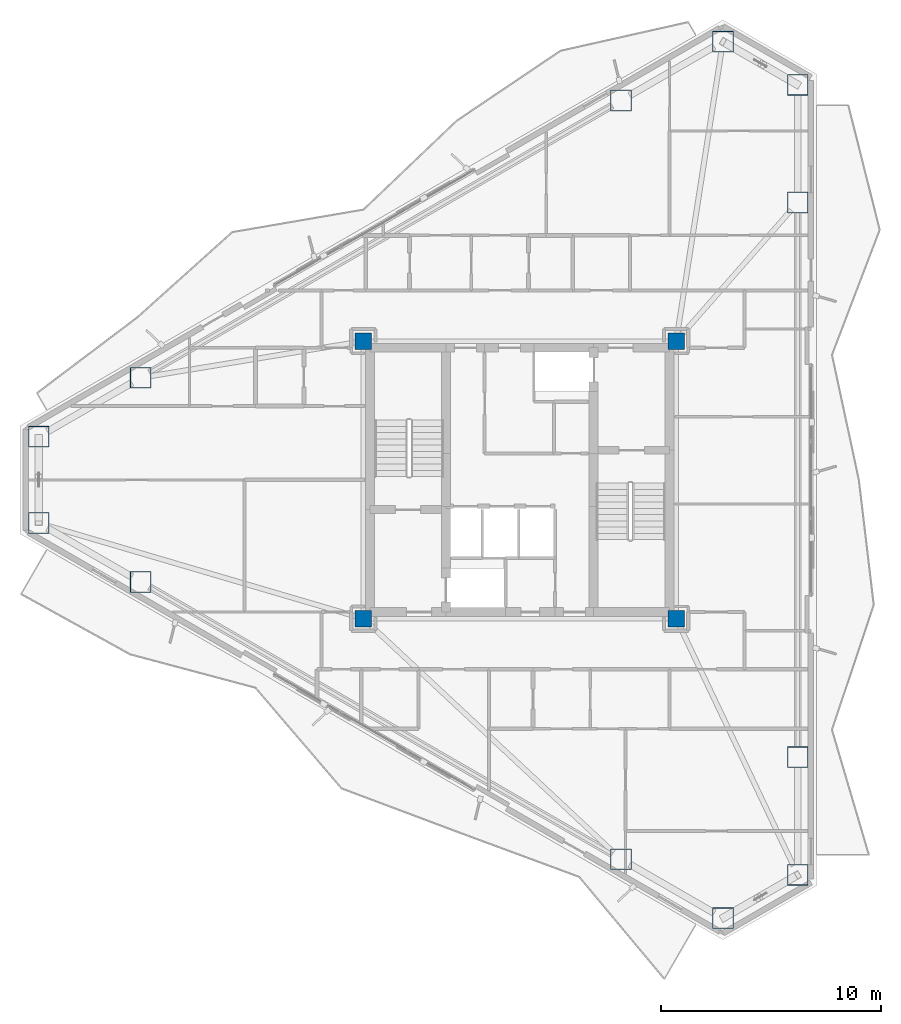
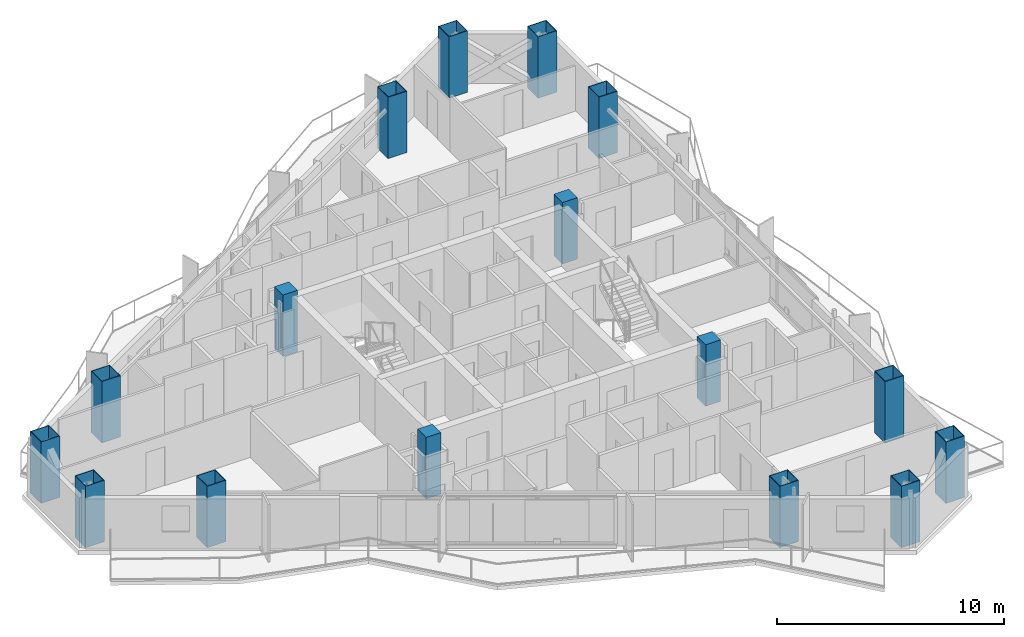
# One storey, part 1 of 18: 16 columns.
"""IFC4 building model written with IfcOpenShell, lengths in metres."""

from ifc_helpers import new_model, si_unit, direction, frame, origin, origin_2d, place, context, subcontext, project, spatial, rectangle, hollow_rectangle, extrude, material, material_profile, profile_set, type_object, element, save


model = new_model("IFC4")

# Units and contexts
model_context = context("Model", 3, precision=1e-05, world=origin(), true_north=direction((0.0, 1.0)))
body_context = subcontext(model_context, "Body", "Model", "MODEL_VIEW")
ifc_project = project(units=[si_unit("LENGTHUNIT", "METRE"), si_unit("AREAUNIT", "SQUARE_METRE"), si_unit("VOLUMEUNIT", "CUBIC_METRE"), si_unit("PLANEANGLEUNIT", "RADIAN"), si_unit("MASSUNIT", "GRAM", prefix="KILO")], contexts=[model_context])

# Site, building, storey
site_placement = place(None, origin())
site = spatial("IfcSite", under=ifc_project, at=site_placement, CompositionType="ELEMENT")
building_placement = place(site_placement, origin())
building = spatial("IfcBuilding", under=site, at=building_placement, Name="Mersakhor Tower and Convention Hall", CompositionType="ELEMENT")
storey_placement = place(building_placement, frame((0.0, 0.0, 134.39990234375)))
storey = spatial("IfcBuildingStorey", under=building, at=storey_placement, Name="L37", CompositionType="ELEMENT", Elevation=134.39990234375)

# Columns
ifc_material_1 = material(Name="Concrete C60/75 in S460M steel box", Category="concrete")
ifc_material_profile_1 = material_profile(ifc_material_1, hollow_rectangle(XDim=0.949951171875, YDim=0.949951171875, WallThickness=0.028076171875, at=origin_2d()), Name="SHS 950x950x28")
ifc_profile_set_1 = profile_set([ifc_material_profile_1], Name="Concrete C60/75 in S460M steel box")
column_type_1 = type_object("IfcColumnType", Name="COL-CFT-950", PredefinedType="COLUMN", material=ifc_profile_set_1)
for number, where, z_axis, x_axis, name in (
    (1, (7.160400390625, 28.71240234375, 0.0), (0.0, 0.0, 1.0), (1.0, 0.0, 0.0), "L37 Perimeter Mega-Column MC-01"),
    (2, (11.788330078125, 31.38427734375, 0.0), (0.0, 0.0, 1.0), (1.0, 0.0, 0.0), "L37 Perimeter Mega-Column MC-02"),
    (3, (33.592529296875, 43.972900390625, 0.0), (0.0, 0.0, 1.0), (1.0, 0.0, 0.0), "L37 Perimeter Mega-Column MC-03"),
    (4, (38.220458984375, 46.644775390625, 0.0), (0.0, 0.0, 1.0), (1.0, 0.0, 0.0), "L37 Perimeter Mega-Column MC-04"),
    (5, (41.619140625, 44.6826171875, 0.0), (0.0, 0.0, 1.0), (1.0, 0.0, 0.0), "L37 Perimeter Mega-Column MC-05"),
    (6, (41.619140625, 39.338623046875, 0.0), (0.0, 0.0, 1.0), (1.0, 0.0, 0.0), "L37 Perimeter Mega-Column MC-06"),
    (7, (41.619140625, 14.161376953125, 0.0), (0.0, 0.0, 1.0), (1.0, 0.0, 0.0), "L37 Perimeter Mega-Column MC-07"),
    (8, (41.619140625, 8.8173828125, 0.0), (0.0, 0.0, 1.0), (1.0, 0.0, 0.0), "L37 Perimeter Mega-Column MC-08"),
    (9, (38.220458984375, 6.855224609375, 0.0), (0.0, 0.0, 1.0), (1.0, 0.0, 0.0), "L37 Perimeter Mega-Column MC-09"),
    (10, (33.592529296875, 9.527099609375, 0.0), (0.0, 0.0, 1.0), (1.0, 0.0, 0.0), "L37 Perimeter Mega-Column MC-10"),
    (11, (11.788330078125, 22.11572265625, 0.0), (0.0, 0.0, 1.0), (1.0, 0.0, 0.0), "L37 Perimeter Mega-Column MC-11"),
    (12, (7.160400390625, 24.78759765625, 0.0), (0.0, 0.0, 1.0), (1.0, 0.0, 0.0), "L37 Perimeter Mega-Column MC-12"),
):
    element("IfcColumn", number, at=place(storey_placement, frame(where, z_axis=z_axis, x_axis=x_axis)), inside=storey, type_object=column_type_1, Name=name, PredefinedType="COLUMN", context=body_context, shape_type="SweptSolid", body=[
        extrude(hollow_rectangle(XDim=0.949951171875, YDim=0.949951171875, WallThickness=0.028076171875, at=origin_2d()), origin(), (0.0, 0.0, 1.0), 3.300048828125),
    ])
ifc_material_2 = material(Name="Concrete C50/60", Category="concrete")
ifc_material_profile_2 = material_profile(ifc_material_2, rectangle(XDim=0.75, YDim=0.75, at=origin_2d()), Name="RC 750x750")
ifc_profile_set_2 = profile_set([ifc_material_profile_2], Name="Concrete C50/60")
column_type_2 = type_object("IfcColumnType", Name="COL-RC-750", PredefinedType="COLUMN", material=ifc_profile_set_2)
for number, where, z_axis, x_axis, name in (
    (13, (21.89990234375, 20.449951171875, 0.0), (0.0, 0.0, 1.0), (1.0, 0.0, 0.0), "L37 Core Corner Column CC-1"),
    (14, (21.89990234375, 33.050048828125, 0.0), (0.0, 0.0, 1.0), (1.0, 0.0, 0.0), "L37 Core Corner Column CC-2"),
    (15, (36.10009765625, 33.050048828125, 0.0), (0.0, 0.0, 1.0), (1.0, 0.0, 0.0), "L37 Core Corner Column CC-3"),
    (16, (36.10009765625, 20.449951171875, 0.0), (0.0, 0.0, 1.0), (1.0, 0.0, 0.0), "L37 Core Corner Column CC-4"),
):
    element("IfcColumn", number, at=place(storey_placement, frame(where, z_axis=z_axis, x_axis=x_axis)), inside=storey, type_object=column_type_2, Name=name, PredefinedType="COLUMN", context=body_context, shape_type="SweptSolid", body=[
        extrude(rectangle(XDim=0.75, YDim=0.75, at=origin_2d()), origin(), (0.0, 0.0, 1.0), 3.300048828125),
    ])

save(model, "model.ifc")
